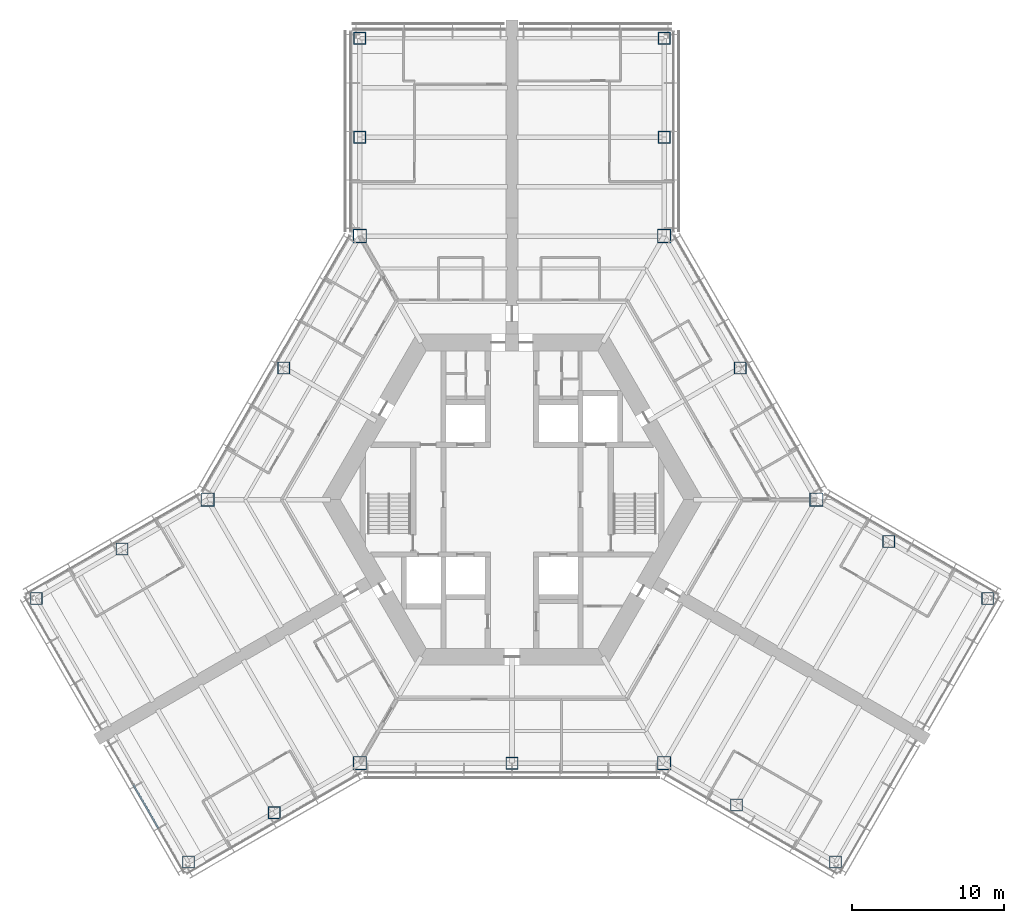
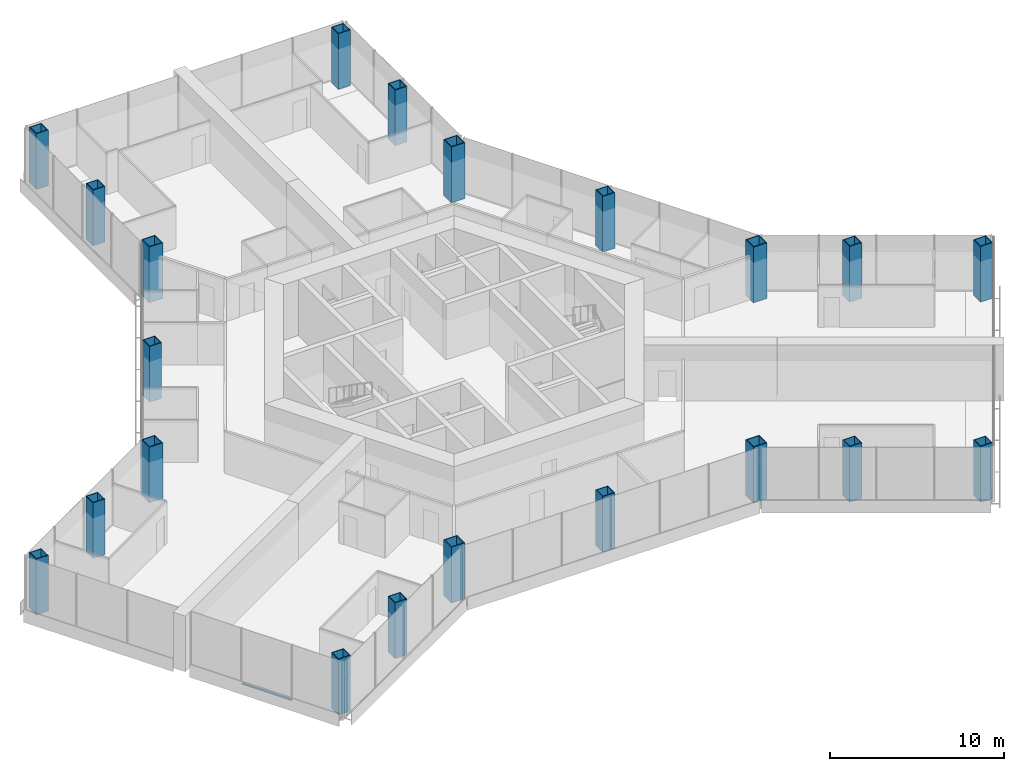
# One storey, part 1 of 18: 21 columns, 1 member, 1 element without a shape of its own.
"""IFC4 building model written with IfcOpenShell, lengths in metres."""

from ifc_helpers import new_model, si_unit, direction, frame, origin, origin_2d, place, context, subcontext, project, spatial, rectangle, hollow_rectangle, extrude, material, material_profile, profile_set, type_object, element, aggregate, save


model = new_model("IFC4")

# Units and contexts
model_context = context("Model", 3, precision=1e-05, world=origin(), true_north=direction((0.0, 1.0)))
body_context = subcontext(model_context, "Body", "Model", "MODEL_VIEW")
ifc_project = project(units=[si_unit("LENGTHUNIT", "METRE"), si_unit("AREAUNIT", "SQUARE_METRE"), si_unit("VOLUMEUNIT", "CUBIC_METRE"), si_unit("PLANEANGLEUNIT", "RADIAN"), si_unit("MASSUNIT", "GRAM", prefix="KILO")], contexts=[model_context])

# Site, building, storey
site_placement = place(None, origin())
site = spatial("IfcSite", under=ifc_project, at=site_placement, CompositionType="ELEMENT")
building_placement = place(site_placement, origin())
building = spatial("IfcBuilding", under=site, at=building_placement, Name="Kasaneha Research Tower", CompositionType="ELEMENT")
storey_placement = place(building_placement, frame((0.0, 0.0, 61.199951171875)))
storey = spatial("IfcBuildingStorey", under=building, at=storey_placement, Name="L15", CompositionType="ELEMENT", Elevation=61.199951171875)

# Columns
ifc_material_1 = material(Name="Steel SN490C", Category="steel")
ifc_material_profile_1 = material_profile(ifc_material_1, hollow_rectangle(XDim=0.89990234375, YDim=0.89990234375, WallThickness=0.054931640625, at=origin_2d()), Name="BOX-900x900x55")
ifc_profile_set_1 = profile_set([ifc_material_profile_1], Name="Steel SN490C")
column_type_1 = type_object("IfcColumnType", Name="C2A column BOX-900x900x55", PredefinedType="COLUMN", material=ifc_profile_set_1)
for number, where, z_axis, x_axis, name in (
    (1, (20.0, 0.0, 0.0), (0.0, 0.0, 1.0), (1.0, 0.0, 0.0), "Column V0 L15"),
    (2, (10.0, 17.320556640625, 0.0), (0.0, 0.0, 1.0), (1.0, 0.0, 0.0), "Column V1 L15"),
    (3, (-10.0, 17.320556640625, 0.0), (0.0, 0.0, 1.0), (1.0, 0.0, 0.0), "Column V2 L15"),
    (4, (-20.0, 0.0, 0.0), (0.0, 0.0, 1.0), (1.0, 0.0, 0.0), "Column V3 L15"),
    (5, (-10.0, -17.320556640625, 0.0), (0.0, 0.0, 1.0), (1.0, 0.0, 0.0), "Column V4 L15"),
    (6, (10.0, -17.320556640625, 0.0), (0.0, 0.0, 1.0), (1.0, 0.0, 0.0), "Column V5 L15"),
):
    element("IfcColumn", number, at=place(storey_placement, frame(where, z_axis=z_axis, x_axis=x_axis)), inside=storey, type_object=column_type_1, Name=name, PredefinedType="COLUMN", context=body_context, shape_type="SweptSolid", body=[
        extrude(hollow_rectangle(XDim=0.89990234375, YDim=0.89990234375, WallThickness=0.054931640625, at=origin_2d()), origin(), (0.0, 0.0, 1.0), 3.900146484375),
    ])
ifc_material_2 = material(Name="Steel SN490C", Category="steel")
ifc_material_profile_2 = material_profile(ifc_material_2, hollow_rectangle(XDim=0.800048828125, YDim=0.800048828125, WallThickness=0.044921875, at=origin_2d()), Name="BOX-800x800x45")
ifc_profile_set_2 = profile_set([ifc_material_profile_2], Name="Steel SN490C")
column_type_2 = type_object("IfcColumnType", Name="C2B column BOX-800x800x45", PredefinedType="COLUMN", material=ifc_profile_set_2)
for number, where, z_axis, x_axis, name in (
    (7, (15.0, 8.66015625, 0.0), (0.0, 0.0, 1.0), (1.0, 0.0, 0.0), "Column M030 L15"),
    (8, (-15.0, 8.66015625, 0.0), (0.0, 0.0, 1.0), (1.0, 0.0, 0.0), "Column M150 L15"),
    (9, (0.0, -17.320556640625, 0.0), (0.0, 0.0, 1.0), (1.0, 0.0, 0.0), "Column M270 L15"),
    (10, (10.0, 23.820556640625, 0.0), (0.0, 0.0, 1.0), (1.0, 0.0, 0.0), "Column ASP L15"),
    (11, (10.0, 30.320556640625, 0.0), (0.0, 0.0, 1.0), (1.0, 0.0, 0.0), "Column ATP L15"),
    (12, (-10.0, 23.820556640625, 0.0), (0.0, 0.0, 1.0), (1.0, 0.0, 0.0), "Column ASN L15"),
    (13, (-10.0, 30.320556640625, 0.0), (0.0, 0.0, 1.0), (1.0, 0.0, 0.0), "Column ATN L15"),
    (14, (-25.629150390625, -3.25, 0.0), (0.0, 0.0, 1.0), (1.0, 0.0, 0.0), "Column BSP L15"),
    (15, (-31.25830078125, -6.5, 0.0), (0.0, 0.0, 1.0), (1.0, 0.0, 0.0), "Column BTP L15"),
    (16, (-15.629150390625, -20.570556640625, 0.0), (0.0, 0.0, 1.0), (1.0, 0.0, 0.0), "Column BSN L15"),
    (17, (-21.25830078125, -23.820556640625, 0.0), (0.0, 0.0, 1.0), (1.0, 0.0, 0.0), "Column BTN L15"),
    (18, (14.76318359375, -20.070556640625, 0.0), (0.0, 0.0, 1.0), (1.0, 0.0, 0.0), "Column CSP L15"),
    (19, (21.25830078125, -23.820556640625, 0.0), (0.0, 0.0, 1.0), (1.0, 0.0, 0.0), "Column CTP L15"),
    (20, (24.76318359375, -2.75, 0.0), (0.0, 0.0, 1.0), (1.0, 0.0, 0.0), "Column CSN L15"),
    (21, (31.25830078125, -6.5, 0.0), (0.0, 0.0, 1.0), (1.0, 0.0, 0.0), "Column CTN L15"),
):
    element("IfcColumn", number, at=place(storey_placement, frame(where, z_axis=z_axis, x_axis=x_axis)), inside=storey, type_object=column_type_2, Name=name, PredefinedType="COLUMN", context=body_context, shape_type="SweptSolid", body=[
        extrude(hollow_rectangle(XDim=0.800048828125, YDim=0.800048828125, WallThickness=0.044921875, at=origin_2d()), origin(), (0.0, 0.0, 1.0), 3.900146484375),
    ])

# Curtain wall, member
ifc_material_3 = material(Name="Glass and aluminium", Category="aluminium")
curtain_wall_type = type_object("IfcCurtainWallType", Name="Low-rise office curtain wall", PredefinedType="USERDEFINED", material=ifc_material_3)
curtain_wall_placement = place(storey_placement, origin())
curtain_wall = element("IfcCurtainWall", 22, at=curtain_wall_placement, inside=storey, type_object=curtain_wall_type, Name="CW-O1 L15 run 15a", ObjectType="UNITISED CURTAIN WALL", PredefinedType="USERDEFINED")
ifc_material_4 = material(Name="Aluminium 6063-T6", Category="aluminium")
ifc_material_profile_3 = material_profile(ifc_material_4, rectangle(XDim=0.1201171875, YDim=0.06005859375, at=origin_2d()), Name="CW-O1 transom 120x60")
ifc_profile_set_3 = profile_set([ifc_material_profile_3], Name="Aluminium 6063-T6")
member_type = type_object("IfcMemberType", Name="CW-O1 transom", PredefinedType="USERDEFINED", material=ifc_profile_set_3)
member_placement = place(storey_placement, frame((-24.879638671875, -18.748291015625, 0.030029296875), z_axis=(0.500014325468, -0.866017132814, 0.0), x_axis=(0.866017132814, 0.500014325468, 0.0)))
member = element("IfcMember", 23, at=member_placement, type_object=member_type, Name="CW-O1 transom 2", ObjectType="TRANSOM", PredefinedType="USERDEFINED", context=body_context, shape_type="SweptSolid", body=[
    extrude(rectangle(XDim=0.1201171875, YDim=0.06005859375, at=origin_2d()), origin(), (0.0, 0.0, 1.0), 3.306640625),
])
aggregate(curtain_wall, [member])

save(model, "model.ifc")
